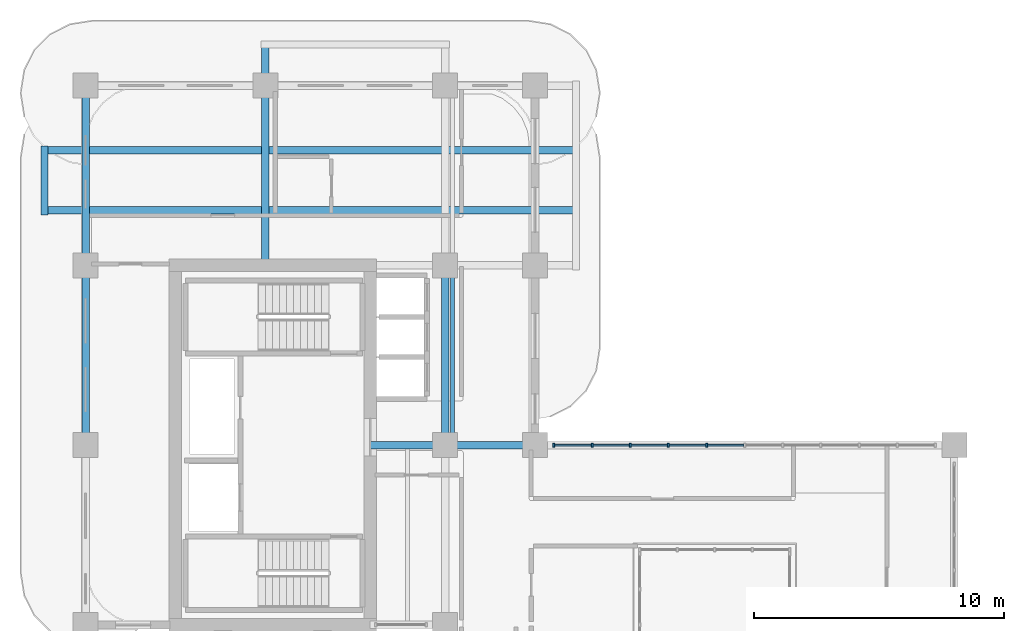
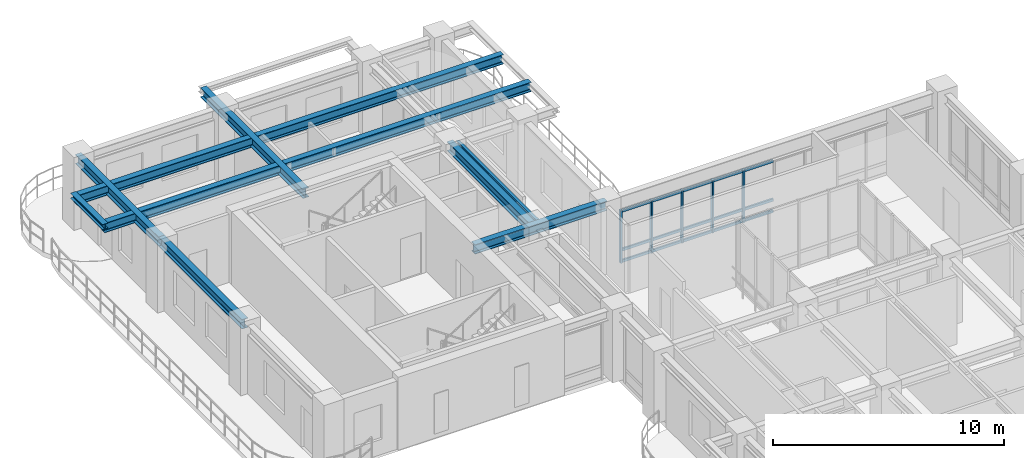
# One storey, part 5 of 20: 20 members, 9 beams, 1 element without a shape of its own.
"""IFC4 building model written with IfcOpenShell, lengths in metres."""

from ifc_helpers import new_model, si_unit, derived_unit, direction, frame, origin, origin_2d, place, context, subcontext, project, spatial, rectangle, i_section, extrude, source, transform, mapped, material, layer, layer_set, material_profile, profile_set, type_object, type_shapes, element, aggregate, save


model = new_model("IFC4")

# Units and contexts
model_context = context("Model", 3, precision=1e-05, world=origin(), true_north=direction((0.0, 1.0)))
body_context = subcontext(model_context, "Body", "Model", "MODEL_VIEW")
ifc_project = project(units=[si_unit("LENGTHUNIT", "METRE"), si_unit("AREAUNIT", "SQUARE_METRE"), si_unit("VOLUMEUNIT", "CUBIC_METRE"), si_unit("PLANEANGLEUNIT", "RADIAN"), si_unit("MASSUNIT", "GRAM", prefix="KILO"), si_unit("THERMODYNAMICTEMPERATUREUNIT", "KELVIN"), si_unit("POWERUNIT", "WATT"), derived_unit("THERMALTRANSMITTANCEUNIT", [(si_unit("POWERUNIT", "WATT"), 1), (si_unit("AREAUNIT", "SQUARE_METRE"), -1), (si_unit("THERMODYNAMICTEMPERATUREUNIT", "KELVIN"), -1)])], contexts=[model_context])

# Site, building, storey
site_placement = place(None, origin())
site = spatial("IfcSite", under=ifc_project, at=site_placement, CompositionType="ELEMENT")
building_placement = place(site_placement, origin())
building = spatial("IfcBuilding", under=site, at=building_placement, Name="Zahravan Archway Hotel and Residences", CompositionType="ELEMENT")
storey_placement = place(building_placement, frame((0.0, 0.0, 161.85009765625)))
storey = spatial("IfcBuildingStorey", under=building, at=storey_placement, Name="L40", CompositionType="ELEMENT", Elevation=161.85009765625)

# Beams
ifc_material_1 = material(Name="Structural Steel S355JR", Category="steel")
ifc_material_profile_1 = material_profile(ifc_material_1, i_section(OverallWidth=0.280029296875, OverallDepth=0.280029296875, WebThickness=0.010498046875, FlangeThickness=0.01806640625, FilletRadius=0.02392578125, at=origin_2d()), Name="HEB 280", Category="steel")
ifc_profile_set_1 = profile_set([ifc_material_profile_1], Name="Structural Steel S355JR")
beam_type_1 = type_object("IfcBeamType", Name="BM-SPN-HEB280", PredefinedType="SPANDREL", material=ifc_profile_set_1)
shared_shape_1 = source(origin(), body_context, "Body", "SweptSolid", [
    extrude(i_section(OverallWidth=0.280029296875, OverallDepth=0.280029296875, WebThickness=0.010498046875, FlangeThickness=0.01806640625, FilletRadius=0.02392578125, at=origin_2d()), origin(), (0.0, 0.0, 1.0), 2.759765625),
])
beam_1_placement = place(storey_placement, frame((-1.64990234375, 41.6201171875, 3.4599609375), z_axis=(0.0, 1.0, 0.0), x_axis=(-1.0, 0.0, 0.0)))
element("IfcBeam", 1, at=beam_1_placement, inside=storey, type_object=beam_type_1, Name="L41 WB Balcony Edge Spandrel", PredefinedType="SPANDREL", context=body_context, shape_type="MappedRepresentation", body=[
    mapped(shared_shape_1, transform((0.0, 0.0, 0.0), scale=1.0)),
])
ifc_material_profile_2 = material_profile(ifc_material_1, i_section(OverallWidth=0.300048828125, OverallDepth=0.5, WebThickness=0.014404296875, FlangeThickness=0.028076171875, FilletRadius=0.027099609375, at=origin_2d()), Name="HEB 500", Category="steel")
ifc_profile_set_2 = profile_set([ifc_material_profile_2], Name="Structural Steel S355JR")
beam_type_2 = type_object("IfcBeamType", Name="BM-PRI-HEB500", PredefinedType="BEAM", material=ifc_profile_set_2)
shared_shape_2 = source(origin(), body_context, "Body", "SweptSolid", [
    extrude(i_section(OverallWidth=0.300048828125, OverallDepth=0.5, WebThickness=0.014404296875, FlangeThickness=0.028076171875, FilletRadius=0.027099609375, at=origin_2d()), origin(), (0.0, 0.0, 1.0), 7.2001953125),
])
type_shapes(beam_type_2, [shared_shape_2])
for number, where, z_axis, x_axis, name in (
    (2, (0.0, 32.39990234375, 3.349853515625), (0.0, 1.0, 0.0), (-1.0, 0.0, 0.0), "L40 Primary Girder NS-25"),
    (3, (14.39990234375, 32.39990234375, 3.349853515625), (0.0, 1.0, 0.0), (-1.0, 0.0, 0.0), "L40 Primary Girder NS-33"),
):
    element("IfcBeam", number, at=place(storey_placement, frame(where, z_axis=z_axis, x_axis=x_axis)), inside=storey, type_object=beam_type_2, Name=name, PredefinedType="BEAM", context=body_context, shape_type="MappedRepresentation", body=[
        mapped(shared_shape_2, transform((0.0, 0.0, 0.0), scale=1.0)),
    ])
shared_shape_3 = source(origin(), body_context, "Body", "SweptSolid", [
    extrude(i_section(OverallWidth=0.300048828125, OverallDepth=0.5, WebThickness=0.014404296875, FlangeThickness=0.028076171875, FilletRadius=0.027099609375, at=origin_2d()), origin(), (0.0, 0.0, 1.0), 7.199951171875),
])
beam_2_placement = place(storey_placement, frame((0.0, 39.60009765625, 3.349853515625), z_axis=(0.0, 1.0, 0.0), x_axis=(-1.0, 0.0, 0.0)))
element("IfcBeam", 4, at=beam_2_placement, inside=storey, type_object=beam_type_2, Name="L40 Primary Girder NS-26", PredefinedType="BEAM", context=body_context, shape_type="MappedRepresentation", body=[
    mapped(shared_shape_3, transform((0.0, 0.0, 0.0), scale=1.0)),
])
shared_shape_4 = source(origin(), body_context, "Body", "SweptSolid", [
    extrude(i_section(OverallWidth=0.300048828125, OverallDepth=0.5, WebThickness=0.014404296875, FlangeThickness=0.028076171875, FilletRadius=0.027099609375, at=origin_2d()), origin(), (0.0, 0.0, 1.0), 6.60009765625),
])
beam_3_placement = place(storey_placement, frame((11.39990234375, 32.39990234375, 3.349853515625), z_axis=(1.0, 0.0, 0.0), x_axis=(0.0, 1.0, 0.0)))
element("IfcBeam", 5, at=beam_3_placement, inside=storey, type_object=beam_type_2, Name="L40 Primary Girder EW-17", PredefinedType="BEAM", context=body_context, shape_type="MappedRepresentation", body=[
    mapped(shared_shape_4, transform((0.0, 0.0, 0.0), scale=1.0)),
])
shared_shape_5 = source(origin(), body_context, "Body", "SweptSolid", [
    extrude(i_section(OverallWidth=0.300048828125, OverallDepth=0.5, WebThickness=0.014404296875, FlangeThickness=0.028076171875, FilletRadius=0.027099609375, at=origin_2d()), origin(), (0.0, 0.0, 1.0), 21.2998046875),
])
for number, where, z_axis, x_axis, name in (
    (6, (-1.64990234375, 41.800048828125, 3.349853515625), (1.0, 0.0, 0.0), (0.0, 1.0, 0.0), "L40 Primary Girder EW-22"),
    (7, (-1.64990234375, 44.199951171875, 3.349853515625), (1.0, 0.0, 0.0), (0.0, 1.0, 0.0), "L40 Primary Girder EW-23"),
):
    element("IfcBeam", number, at=place(storey_placement, frame(where, z_axis=z_axis, x_axis=x_axis)), inside=storey, type_object=beam_type_2, Name=name, PredefinedType="BEAM", context=body_context, shape_type="MappedRepresentation", body=[
        mapped(shared_shape_5, transform((0.0, 0.0, 0.0), scale=1.0)),
    ])
shared_shape_6 = source(origin(), body_context, "Body", "SweptSolid", [
    extrude(i_section(OverallWidth=0.300048828125, OverallDepth=0.5, WebThickness=0.014404296875, FlangeThickness=0.028076171875, FilletRadius=0.027099609375, at=origin_2d()), origin(), (0.0, 0.0, 1.0), 8.849853515625),
])
beam_4_placement = place(storey_placement, frame((7.199951171875, 39.60009765625, 3.349853515625), z_axis=(0.0, 1.0, 0.0), x_axis=(-1.0, 0.0, 0.0)))
element("IfcBeam", 8, at=beam_4_placement, inside=storey, type_object=beam_type_2, Name="L40 Primary Girder NS-27", PredefinedType="BEAM", context=body_context, shape_type="MappedRepresentation", body=[
    mapped(shared_shape_6, transform((0.0, 0.0, 0.0), scale=1.0)),
])
ifc_material_profile_3 = material_profile(ifc_material_1, i_section(OverallWidth=0.14990234375, OverallDepth=0.300048828125, WebThickness=0.007080078125, FlangeThickness=0.0107421875, FilletRadius=0.014892578125, at=origin_2d()), Name="IPE 300", Category="steel")
ifc_profile_set_3 = profile_set([ifc_material_profile_3], Name="Structural Steel S355JR")
beam_type_3 = type_object("IfcBeamType", Name="BM-JST-IPE300", PredefinedType="JOIST", material=ifc_profile_set_3)
shared_shape_7 = source(origin(), body_context, "Body", "SweptSolid", [
    extrude(i_section(OverallWidth=0.14990234375, OverallDepth=0.300048828125, WebThickness=0.007080078125, FlangeThickness=0.0107421875, FilletRadius=0.014892578125, at=origin_2d()), origin(), (0.0, 0.0, 1.0), 6.90380859375),
])
beam_5_placement = place(storey_placement, frame((14.699951171875, 32.548095703125, 3.449951171875), z_axis=(0.0, 1.0, 0.0), x_axis=(-1.0, 0.0, 0.0)))
element("IfcBeam", 9, at=beam_5_placement, inside=storey, type_object=beam_type_3, Name="L40 Composite Floor Joist 11", PredefinedType="JOIST", context=body_context, shape_type="MappedRepresentation", body=[
    mapped(shared_shape_7, transform((0.0, 0.0, 0.0), scale=1.0)),
])

# Curtain wall, members
ifc_material_2 = material(Name="Bronze-Anodized Unitised Aluminium & Low-E Glass", Category="aluminium")
ifc_layer = layer(ifc_material_2, 0.179931640625, Name="Bronze-Anodized Unitised Aluminium & Low-E Glass", Category="aluminium")
ifc_layer_set = layer_set([ifc_layer], Name="Bronze-Anodized Unitised Aluminium & Low-E Glass")
curtain_wall_type = type_object("IfcCurtainWallType", Name="CW-TWR-FEAT", PredefinedType="NOTDEFINED", material=ifc_layer_set)
curtain_wall_placement = place(storey_placement, origin())
curtain_wall = element("IfcCurtainWall", 10, at=curtain_wall_placement, inside=storey, type_object=curtain_wall_type, Name="L40 Curtain Wall CW-L40-HNG-N-1", PredefinedType="NOTDEFINED")
ifc_material_3 = material(Name="Bronze-Anodized Extruded Aluminium", Category="aluminium")
ifc_material_profile_4 = material_profile(ifc_material_3, rectangle(XDim=0.080078125, YDim=0.139892578125, at=origin_2d()), Name="TRN 80x140", Category="aluminium")
ifc_profile_set_4 = profile_set([ifc_material_profile_4], Name="Bronze-Anodized Extruded Aluminium")
member_type_1 = type_object("IfcMemberType", Name="CWM-TRN-140", PredefinedType="USERDEFINED", material=ifc_profile_set_4)
shared_shape_8 = source(origin(), body_context, "Body", "SweptSolid", [
    extrude(rectangle(XDim=0.080078125, YDim=0.139892578125, at=origin_2d()), origin(), (0.0, 0.0, 1.0), 1.447998046875),
])
member_1_placement = place(storey_placement, frame((18.800048828125, 32.39990234375, 0.06982421875), z_axis=(1.0, 0.0, 0.0), x_axis=(0.0, 1.0, 0.0)))
member_1 = element("IfcMember", 11, at=member_1_placement, type_object=member_type_1, Name="CW-L40-HNG-N-1 Transom 0-1", ObjectType="TRANSOM", PredefinedType="USERDEFINED", context=body_context, shape_type="MappedRepresentation", body=[
    mapped(shared_shape_8, transform((0.0, 0.0, 0.0), scale=1.0)),
])
member_2_placement = place(storey_placement, frame((18.800048828125, 32.39990234375, 0.668212890625), z_axis=(1.0, 0.0, 0.0), x_axis=(0.0, 1.0, 0.0)))
member_2 = element("IfcMember", 12, at=member_2_placement, type_object=member_type_1, Name="CW-L40-HNG-N-1 Transom 0-2", ObjectType="TRANSOM", PredefinedType="USERDEFINED", context=body_context, shape_type="MappedRepresentation", body=[
    mapped(shared_shape_8, transform((0.0, 0.0, 0.0), scale=1.0)),
])
member_3_placement = place(storey_placement, frame((18.800048828125, 32.39990234375, 2.71484375), z_axis=(1.0, 0.0, 0.0), x_axis=(0.0, 1.0, 0.0)))
member_3 = element("IfcMember", 13, at=member_3_placement, type_object=member_type_1, Name="CW-L40-HNG-N-1 Transom 0-3", ObjectType="TRANSOM", PredefinedType="USERDEFINED", context=body_context, shape_type="MappedRepresentation", body=[
    mapped(shared_shape_8, transform((0.0, 0.0, 0.0), scale=1.0)),
])
member_4_placement = place(storey_placement, frame((20.327880859375, 32.39990234375, 0.06982421875), z_axis=(1.0, 0.0, 0.0), x_axis=(0.0, 1.0, 0.0)))
member_4 = element("IfcMember", 14, at=member_4_placement, type_object=member_type_1, Name="CW-L40-HNG-N-1 Transom 1-1", ObjectType="TRANSOM", PredefinedType="USERDEFINED", context=body_context, shape_type="MappedRepresentation", body=[
    mapped(shared_shape_8, transform((0.0, 0.0, 0.0), scale=1.0)),
])
member_5_placement = place(storey_placement, frame((20.327880859375, 32.39990234375, 0.668212890625), z_axis=(1.0, 0.0, 0.0), x_axis=(0.0, 1.0, 0.0)))
member_5 = element("IfcMember", 15, at=member_5_placement, type_object=member_type_1, Name="CW-L40-HNG-N-1 Transom 1-2", ObjectType="TRANSOM", PredefinedType="USERDEFINED", context=body_context, shape_type="MappedRepresentation", body=[
    mapped(shared_shape_8, transform((0.0, 0.0, 0.0), scale=1.0)),
])
member_6_placement = place(storey_placement, frame((20.327880859375, 32.39990234375, 2.71484375), z_axis=(1.0, 0.0, 0.0), x_axis=(0.0, 1.0, 0.0)))
member_6 = element("IfcMember", 16, at=member_6_placement, type_object=member_type_1, Name="CW-L40-HNG-N-1 Transom 1-3", ObjectType="TRANSOM", PredefinedType="USERDEFINED", context=body_context, shape_type="MappedRepresentation", body=[
    mapped(shared_shape_8, transform((0.0, 0.0, 0.0), scale=1.0)),
])
member_7_placement = place(storey_placement, frame((21.85595703125, 32.39990234375, 0.06982421875), z_axis=(1.0, 0.0, 0.0), x_axis=(0.0, 1.0, 0.0)))
member_7 = element("IfcMember", 17, at=member_7_placement, type_object=member_type_1, Name="CW-L40-HNG-N-1 Transom 2-1", ObjectType="TRANSOM", PredefinedType="USERDEFINED", context=body_context, shape_type="MappedRepresentation", body=[
    mapped(shared_shape_8, transform((0.0, 0.0, 0.0), scale=1.0)),
])
member_8_placement = place(storey_placement, frame((21.85595703125, 32.39990234375, 0.668212890625), z_axis=(1.0, 0.0, 0.0), x_axis=(0.0, 1.0, 0.0)))
member_8 = element("IfcMember", 18, at=member_8_placement, type_object=member_type_1, Name="CW-L40-HNG-N-1 Transom 2-2", ObjectType="TRANSOM", PredefinedType="USERDEFINED", context=body_context, shape_type="MappedRepresentation", body=[
    mapped(shared_shape_8, transform((0.0, 0.0, 0.0), scale=1.0)),
])
member_9_placement = place(storey_placement, frame((21.85595703125, 32.39990234375, 2.71484375), z_axis=(1.0, 0.0, 0.0), x_axis=(0.0, 1.0, 0.0)))
member_9 = element("IfcMember", 19, at=member_9_placement, type_object=member_type_1, Name="CW-L40-HNG-N-1 Transom 2-3", ObjectType="TRANSOM", PredefinedType="USERDEFINED", context=body_context, shape_type="MappedRepresentation", body=[
    mapped(shared_shape_8, transform((0.0, 0.0, 0.0), scale=1.0)),
])
member_10_placement = place(storey_placement, frame((23.384033203125, 32.39990234375, 0.06982421875), z_axis=(1.0, 0.0, 0.0), x_axis=(0.0, 1.0, 0.0)))
member_10 = element("IfcMember", 20, at=member_10_placement, type_object=member_type_1, Name="CW-L40-HNG-N-1 Transom 3-1", ObjectType="TRANSOM", PredefinedType="USERDEFINED", context=body_context, shape_type="MappedRepresentation", body=[
    mapped(shared_shape_8, transform((0.0, 0.0, 0.0), scale=1.0)),
])
member_11_placement = place(storey_placement, frame((23.384033203125, 32.39990234375, 0.668212890625), z_axis=(1.0, 0.0, 0.0), x_axis=(0.0, 1.0, 0.0)))
member_11 = element("IfcMember", 21, at=member_11_placement, type_object=member_type_1, Name="CW-L40-HNG-N-1 Transom 3-2", ObjectType="TRANSOM", PredefinedType="USERDEFINED", context=body_context, shape_type="MappedRepresentation", body=[
    mapped(shared_shape_8, transform((0.0, 0.0, 0.0), scale=1.0)),
])
member_12_placement = place(storey_placement, frame((23.384033203125, 32.39990234375, 2.71484375), z_axis=(1.0, 0.0, 0.0), x_axis=(0.0, 1.0, 0.0)))
member_12 = element("IfcMember", 22, at=member_12_placement, type_object=member_type_1, Name="CW-L40-HNG-N-1 Transom 3-3", ObjectType="TRANSOM", PredefinedType="USERDEFINED", context=body_context, shape_type="MappedRepresentation", body=[
    mapped(shared_shape_8, transform((0.0, 0.0, 0.0), scale=1.0)),
])
member_13_placement = place(storey_placement, frame((24.912109375, 32.39990234375, 0.06982421875), z_axis=(1.0, 0.0, 0.0), x_axis=(0.0, 1.0, 0.0)))
member_13 = element("IfcMember", 23, at=member_13_placement, type_object=member_type_1, Name="CW-L40-HNG-N-1 Transom 4-1", ObjectType="TRANSOM", PredefinedType="USERDEFINED", context=body_context, shape_type="MappedRepresentation", body=[
    mapped(shared_shape_8, transform((0.0, 0.0, 0.0), scale=1.0)),
])
member_14_placement = place(storey_placement, frame((24.912109375, 32.39990234375, 0.668212890625), z_axis=(1.0, 0.0, 0.0), x_axis=(0.0, 1.0, 0.0)))
member_14 = element("IfcMember", 24, at=member_14_placement, type_object=member_type_1, Name="CW-L40-HNG-N-1 Transom 4-2", ObjectType="TRANSOM", PredefinedType="USERDEFINED", context=body_context, shape_type="MappedRepresentation", body=[
    mapped(shared_shape_8, transform((0.0, 0.0, 0.0), scale=1.0)),
])
member_15_placement = place(storey_placement, frame((24.912109375, 32.39990234375, 2.71484375), z_axis=(1.0, 0.0, 0.0), x_axis=(0.0, 1.0, 0.0)))
member_15 = element("IfcMember", 25, at=member_15_placement, type_object=member_type_1, Name="CW-L40-HNG-N-1 Transom 4-3", ObjectType="TRANSOM", PredefinedType="USERDEFINED", context=body_context, shape_type="MappedRepresentation", body=[
    mapped(shared_shape_8, transform((0.0, 0.0, 0.0), scale=1.0)),
])
ifc_material_profile_5 = material_profile(ifc_material_3, rectangle(XDim=0.080078125, YDim=0.159912109375, at=origin_2d()), Name="MUL 80x160", Category="aluminium")
ifc_profile_set_5 = profile_set([ifc_material_profile_5], Name="Bronze-Anodized Extruded Aluminium")
member_type_2 = type_object("IfcMemberType", Name="CWM-MUL-160", PredefinedType="MULLION", material=ifc_profile_set_5)
shared_shape_9 = source(origin(), body_context, "Body", "SweptSolid", [
    extrude(rectangle(XDim=0.080078125, YDim=0.159912109375, at=origin_2d()), origin(), (0.0, 0.0, 1.0), 2.784912109375),
])
member_16_placement = place(storey_placement, frame((18.760009765625, 32.39990234375, 0.0), z_axis=(0.0, 0.0, 1.0), x_axis=(1.0, 0.0, 0.0)))
member_16 = element("IfcMember", 26, at=member_16_placement, type_object=member_type_2, Name="CW-L40-HNG-N-1 Mullion 0", PredefinedType="MULLION", context=body_context, shape_type="MappedRepresentation", body=[
    mapped(shared_shape_9, transform((0.0, 0.0, 0.0), scale=1.0)),
])
member_17_placement = place(storey_placement, frame((20.2880859375, 32.39990234375, 0.0), z_axis=(0.0, 0.0, 1.0), x_axis=(1.0, 0.0, 0.0)))
member_17 = element("IfcMember", 27, at=member_17_placement, type_object=member_type_2, Name="CW-L40-HNG-N-1 Mullion 1", PredefinedType="MULLION", context=body_context, shape_type="MappedRepresentation", body=[
    mapped(shared_shape_9, transform((0.0, 0.0, 0.0), scale=1.0)),
])
member_18_placement = place(storey_placement, frame((21.81591796875, 32.39990234375, 0.0), z_axis=(0.0, 0.0, 1.0), x_axis=(1.0, 0.0, 0.0)))
member_18 = element("IfcMember", 28, at=member_18_placement, type_object=member_type_2, Name="CW-L40-HNG-N-1 Mullion 2", PredefinedType="MULLION", context=body_context, shape_type="MappedRepresentation", body=[
    mapped(shared_shape_9, transform((0.0, 0.0, 0.0), scale=1.0)),
])
member_19_placement = place(storey_placement, frame((23.343994140625, 32.39990234375, 0.0), z_axis=(0.0, 0.0, 1.0), x_axis=(1.0, 0.0, 0.0)))
member_19 = element("IfcMember", 29, at=member_19_placement, type_object=member_type_2, Name="CW-L40-HNG-N-1 Mullion 3", PredefinedType="MULLION", context=body_context, shape_type="MappedRepresentation", body=[
    mapped(shared_shape_9, transform((0.0, 0.0, 0.0), scale=1.0)),
])
member_20_placement = place(storey_placement, frame((24.8720703125, 32.39990234375, 0.0), z_axis=(0.0, 0.0, 1.0), x_axis=(1.0, 0.0, 0.0)))
member_20 = element("IfcMember", 30, at=member_20_placement, type_object=member_type_2, Name="CW-L40-HNG-N-1 Mullion 4", PredefinedType="MULLION", context=body_context, shape_type="MappedRepresentation", body=[
    mapped(shared_shape_9, transform((0.0, 0.0, 0.0), scale=1.0)),
])
aggregate(curtain_wall, [member_16, member_17, member_18, member_19, member_20, member_1, member_2, member_3, member_4, member_5, member_6, member_7, member_8, member_9, member_10, member_11, member_12, member_13, member_14, member_15])

save(model, "model.ifc")
